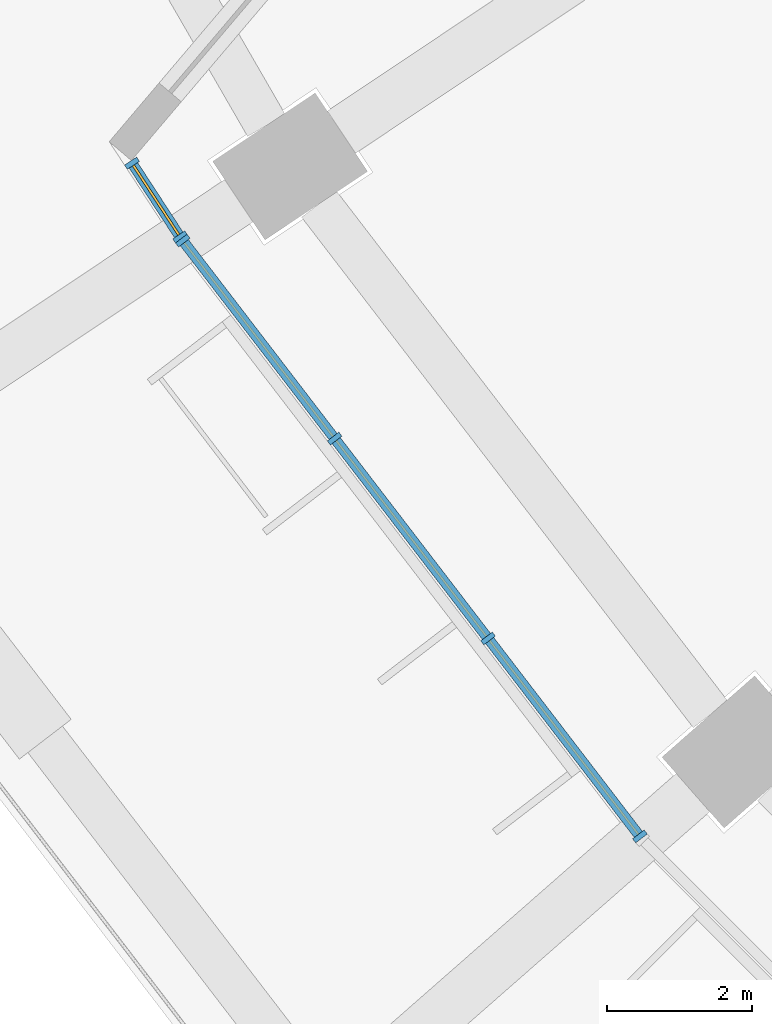
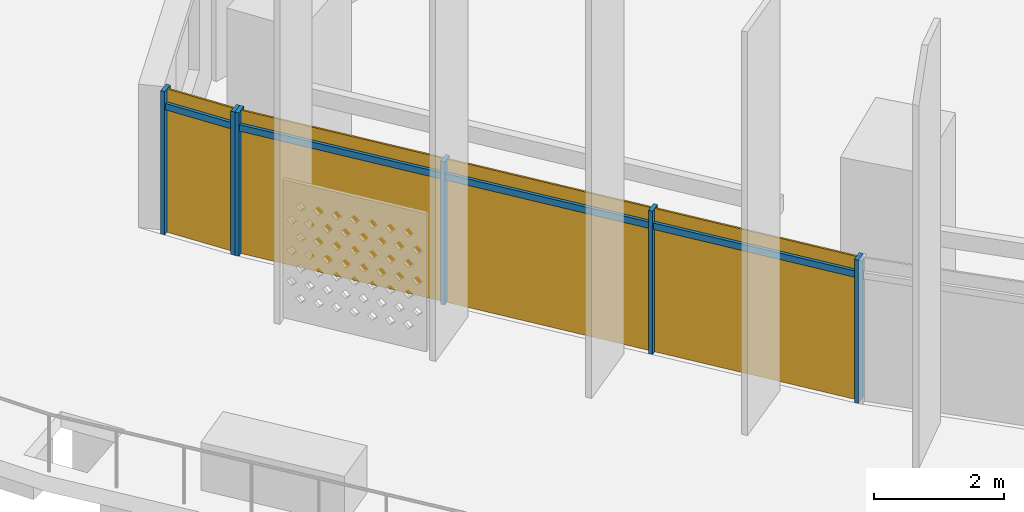
# One storey, part 20 of 35: 10 members, 2 curtain walls.
"""IFC4 building model written with IfcOpenShell, lengths in metres."""

import ifcopenshell
import ifcopenshell.guid

model = None  # the IFC model being written
_history = None  # IfcOwnerHistory: only IFC2X3 demands one
_inside = {}  # id of a spatial element -> (the spatial element, [elements in it])
_under = {}  # id of a project, library or spatial element -> (it, [spatial elements below it])
_declared = {}  # id of a project -> (the project, [libraries it declares])
_typed = {}  # id of a type object -> (the type object, [elements of that type])
_made_of = {}  # id of a material, layer set ... -> (it, [elements and type objects made of it])


def new_model(schema):
    """Start an empty IFC model of exactly this schema.

    Asked for "IFC4X3", IfcOpenShell would pick the latest addendum, in which some entities
    have other attributes; the version numbers below select the first issue.
    IFC2X3 requires an IfcOwnerHistory on every rooted entity: one is made here for all.
    """
    global model, _history
    if schema == "IFC4X3":
        model = ifcopenshell.file(schema_version=(4, 3, 0, 0))
    else:
        model = ifcopenshell.file(schema=schema)
    _inside.clear()
    _under.clear()
    _declared.clear()
    _typed.clear()
    _made_of.clear()
    _history = None
    if model.schema == "IFC2X3":
        org = make("IfcOrganization", Name="unknown")
        user = make(
            "IfcPersonAndOrganization",
            ThePerson=make("IfcPerson", FamilyName="unknown"),
            TheOrganization=org,
        )
        app = make(
            "IfcApplication",
            ApplicationDeveloper=org,
            Version="unknown",
            ApplicationFullName="unknown",
            ApplicationIdentifier="unknown",
        )
        _history = make(
            "IfcOwnerHistory",
            OwningUser=user,
            OwningApplication=app,
            ChangeAction="ADDED",
            CreationDate=0,
        )
    return model


def make(cls, **values):
    """One entity of the class cls with the attributes given. An attribute that is None is left unset."""
    return model.create_entity(
        cls, **{name: value for name, value in values.items() if value is not None}
    )


def rooted(cls, **values):
    """An entity with a GlobalId (a new one), such as an element, a storey or a relation."""
    return make(cls, GlobalId=ifcopenshell.guid.new(), OwnerHistory=_history, **values)


def si_unit(unit_type, name, prefix=None):
    """IfcSIUnit, for example si_unit("LENGTHUNIT", "METRE", prefix="MILLI")."""
    return make("IfcSIUnit", UnitType=unit_type, Prefix=prefix, Name=name)


def assignment(units):
    """IfcUnitAssignment: the units of a project."""
    return None if units is None else make("IfcUnitAssignment", Units=units)


def point(xyz):
    """IfcCartesianPoint."""
    return None if xyz is None else make("IfcCartesianPoint", Coordinates=xyz)


def direction(xyz):
    """IfcDirection."""
    return None if xyz is None else make("IfcDirection", DirectionRatios=xyz)


def frame(location, z_axis=None, x_axis=None):
    """IfcAxis2Placement3D, a coordinate frame: its origin and axes. An axis left out is left unset."""
    return make(
        "IfcAxis2Placement3D",
        Location=point(location),
        Axis=direction(z_axis),
        RefDirection=direction(x_axis),
    )


def frame_2d(location, x_axis=None):
    """IfcAxis2Placement2D, a coordinate frame in the plane: its origin and x axis."""
    return make(
        "IfcAxis2Placement2D", Location=point(location), RefDirection=direction(x_axis)
    )


def origin():
    """The frame at (0, 0, 0) with its axes left unset."""
    return frame((0.0, 0.0, 0.0))


def origin_2d():
    """The frame at (0, 0) in the plane with its x axis left unset."""
    return frame_2d((0.0, 0.0))


def place(relative_to, where):
    """IfcLocalPlacement: puts the frame where relative to a parent placement (None: the world)."""
    return make(
        "IfcLocalPlacement", PlacementRelTo=relative_to, RelativePlacement=where
    )


def context(
    kind, dimensions, precision=None, world=None, true_north=None, identifier=None
):
    """IfcGeometricRepresentationContext, for example the 3D "Model" context."""
    return make(
        "IfcGeometricRepresentationContext",
        ContextIdentifier=identifier,
        ContextType=kind,
        CoordinateSpaceDimension=dimensions,
        Precision=precision,
        WorldCoordinateSystem=world,
        TrueNorth=true_north,
    )


def subcontext(parent, identifier, kind, view, scale=None):
    """IfcGeometricRepresentationSubContext, for example "Body" below "Model"."""
    return make(
        "IfcGeometricRepresentationSubContext",
        ContextIdentifier=identifier,
        ContextType=kind,
        ParentContext=parent,
        TargetScale=scale,
        TargetView=view,
    )


def project(units=None, contexts=None):
    """IfcProject with its units and contexts."""
    return rooted(
        "IfcProject",
        Name="project",
        RepresentationContexts=contexts,
        UnitsInContext=assignment(units),
    )


def spatial(cls, under=None, at=None, **own):
    """A site, building, storey or space (cls), placed at a placement, below another one or the project."""
    s = rooted(cls, ObjectPlacement=at, **own)
    if under is not None:
        _under.setdefault(under.id(), (under, []))[1].append(s)
    return s


def profile(cls, at=None, kind="AREA", **sizes):
    """A parametric profile (cls). Its sizes go by their IFC names, for example OverallWidth=200.0."""
    return make(cls, ProfileType=kind, Position=at, **sizes)


def rectangle(**sizes):
    """IfcRectangleProfileDef."""
    return profile("IfcRectangleProfileDef", **sizes)


def extrude(swept, where, along, depth):
    """IfcExtrudedAreaSolid: the profile swept, set in the frame where, extruded along a direction by depth."""
    return make(
        "IfcExtrudedAreaSolid",
        SweptArea=swept,
        Position=where,
        ExtrudedDirection=direction(along),
        Depth=depth,
    )


def shape(context_of_items, identifier, shape_type, items):
    """IfcShapeRepresentation: the items that make up one representation, for example the "Body"."""
    return make(
        "IfcShapeRepresentation",
        ContextOfItems=context_of_items,
        RepresentationIdentifier=identifier,
        RepresentationType=shape_type,
        Items=items,
    )


def material(Name=None, Category=None):
    """IfcMaterial."""
    return make("IfcMaterial", Name=Name, Category=Category)


def material_profile(
    of_material, cross_section, Name=None, Category=None, Priority=None
):
    """IfcMaterialProfile: a cross section and its material."""
    return make(
        "IfcMaterialProfile",
        Name=Name,
        Material=of_material,
        Profile=cross_section,
        Priority=Priority,
        Category=Category,
    )


def profile_set(profiles, Name=None, composite=None):
    """IfcMaterialProfileSet."""
    return make(
        "IfcMaterialProfileSet",
        Name=Name,
        MaterialProfiles=profiles,
        CompositeProfile=composite,
    )


def made_of(thing, what):
    """Note that an element or type object is made of a material, layer set ...; save() writes the relation."""
    if what is not None:
        _made_of.setdefault(what.id(), (what, []))[1].append(thing)
    return thing


def type_object(cls, material=None, **own):
    """A type object (cls), such as IfcWallType, which elements share."""
    return made_of(rooted(cls, **own), material)


def element(
    cls,
    number,
    at=None,
    inside=None,
    cuts=None,
    type_object=None,
    material=None,
    context=None,
    identifier="Body",
    shape_type=None,
    held_by="IfcProductDefinitionShape",
    body=None,
    shapes=None,
    **own,
):
    """One element of the class cls, such as IfcWall. Its Tag is "e" and its number.

    at: its placement. inside: the storey or other place that contains it. cuts: it is an
    opening in that element (IfcRelVoidsElement). A single representation is given by context,
    identifier, shape_type and body (its items); several are given by shapes. held_by: the class
    of the entity that holds the representations. save() writes the other relations.
    """
    e = rooted(cls, Tag="e%d" % number, ObjectPlacement=at, **own)
    if body is not None:
        shapes = [shape(context, identifier, shape_type, body)]
    if shapes is not None:
        e.Representation = make(held_by, Representations=shapes)
    if inside is not None:
        _inside.setdefault(inside.id(), (inside, []))[1].append(e)
    if cuts is not None:
        rooted(
            "IfcRelVoidsElement", RelatingBuildingElement=cuts, RelatedOpeningElement=e
        )
    if type_object is not None:
        _typed.setdefault(type_object.id(), (type_object, []))[1].append(e)
    return made_of(e, material)


def aggregate(whole, parts):
    """IfcRelAggregates: a whole, such as a stair, and the parts it consists of."""
    return rooted("IfcRelAggregates", RelatingObject=whole, RelatedObjects=parts)


def save(model, path):
    """Write the relations noted so far, then the file.

    IfcRelAggregates (storeys below a building ...), IfcRelContainedInSpatialStructure (elements
    in a storey), IfcRelDefinesByType, IfcRelAssociatesMaterial and IfcRelDeclares: one each for
    every whole, place, type object, material and project.
    """
    for whole, parts in _under.values():
        aggregate(whole, parts)
    for where, things in _inside.values():
        rooted(
            "IfcRelContainedInSpatialStructure",
            RelatedElements=things,
            RelatingStructure=where,
        )
    for kind, things in _typed.values():
        rooted("IfcRelDefinesByType", RelatedObjects=things, RelatingType=kind)
    for what, things in _made_of.values():
        rooted("IfcRelAssociatesMaterial", RelatedObjects=things, RelatingMaterial=what)
    for by, libraries in _declared.values():
        rooted("IfcRelDeclares", RelatingContext=by, RelatedDefinitions=libraries)
    model.write(path)


model = new_model("IFC4")

# Units and contexts
model_context = context("Model", 3, precision=1e-05, world=origin(), true_north=direction((0.0, 1.0)))
body_context = subcontext(model_context, "Body", "Model", "MODEL_VIEW")
ifc_project = project(units=[si_unit("LENGTHUNIT", "METRE"), si_unit("AREAUNIT", "SQUARE_METRE"), si_unit("VOLUMEUNIT", "CUBIC_METRE"), si_unit("PLANEANGLEUNIT", "RADIAN"), si_unit("MASSUNIT", "GRAM", prefix="KILO")], contexts=[model_context])

# Member
ifc_material = material(Name="Aluminium 6063-T6 anodised", Category="aluminium")
ifc_material_profile_1 = material_profile(ifc_material, rectangle(XDim=0.199951171875, YDim=0.070068359375, at=origin_2d()))
ifc_profile_set_1 = profile_set([ifc_material_profile_1], Name="Aluminium 6063-T6 anodised")
member_type_1 = type_object("IfcMemberType", Name="Mullion 70 x 200 aluminium", PredefinedType="MULLION", material=ifc_profile_set_1)
site_placement = place(None, origin())
building_placement = place(site_placement, origin())
storey_placement = place(building_placement, frame((0.0, 0.0, 40.5)))
member_1_placement = place(storey_placement, frame((-66.825439453125, -43.1513671875, 0.0), z_axis=(0.0, 0.0, 1.0), x_axis=(0.837241833838, 0.546832800472, 0.0)))
member_1 = element("IfcMember", 1, at=member_1_placement, type_object=member_type_1, Name="e-cw1-L06-out00/M00", PredefinedType="MULLION", context=body_context, shape_type="SweptSolid", body=[
    extrude(rectangle(XDim=0.199951171875, YDim=0.070068359375, at=origin_2d()), origin(), (0.0, 0.0, 1.0), 2.699951171875),
])

member_2_placement = place(storey_placement, frame((-66.161865234375, -44.167236328125, 0.0), z_axis=(0.0, 0.0, 1.0), x_axis=(0.837241833838, 0.546832800472, 0.0)))
member_2 = element("IfcMember", 2, at=member_2_placement, type_object=member_type_1, Name="e-cw1-L06-out00/M01", PredefinedType="MULLION", context=body_context, shape_type="SweptSolid", body=[
    extrude(rectangle(XDim=0.199951171875, YDim=0.070068359375, at=origin_2d()), origin(), (0.0, 0.0, 1.0), 2.699951171875),
])

member_3_placement = place(storey_placement, frame((-66.1259765625, -44.218017578125, 0.0), z_axis=(0.0, 0.0, 1.0), x_axis=(0.793353340291, 0.608761429009, 0.0)))
member_3 = element("IfcMember", 3, at=member_3_placement, type_object=member_type_1, Name="e-cw1-L06-out01/M00", PredefinedType="MULLION", context=body_context, shape_type="SweptSolid", body=[
    extrude(rectangle(XDim=0.199951171875, YDim=0.070068359375, at=origin_2d()), origin(), (0.0, 0.0, 1.0), 2.699951171875),
])

member_4_placement = place(storey_placement, frame((-64.032958984375, -46.945556640625, 0.0), z_axis=(0.0, 0.0, 1.0), x_axis=(0.793353340291, 0.608761429009, 0.0)))
member_4 = element("IfcMember", 4, at=member_4_placement, type_object=member_type_1, Name="e-cw1-L06-out01/M01", PredefinedType="MULLION", context=body_context, shape_type="SweptSolid", body=[
    extrude(rectangle(XDim=0.199951171875, YDim=0.070068359375, at=origin_2d()), origin(), (0.0, 0.0, 1.0), 2.699951171875),
])

member_5_placement = place(storey_placement, frame((-61.9189453125, -49.70068359375, 0.0), z_axis=(0.0, 0.0, 1.0), x_axis=(0.793353340291, 0.608761429009, 0.0)))
member_5 = element("IfcMember", 5, at=member_5_placement, type_object=member_type_1, Name="e-cw1-L06-out01/M02", PredefinedType="MULLION", context=body_context, shape_type="SweptSolid", body=[
    extrude(rectangle(XDim=0.199951171875, YDim=0.070068359375, at=origin_2d()), origin(), (0.0, 0.0, 1.0), 2.699951171875),
])

member_6_placement = place(storey_placement, frame((-59.825927734375, -52.42822265625, 0.0), z_axis=(0.0, 0.0, 1.0), x_axis=(0.793353340291, 0.608761429009, 0.0)))
member_6 = element("IfcMember", 6, at=member_6_placement, type_object=member_type_1, Name="e-cw1-L06-out01/M03", PredefinedType="MULLION", context=body_context, shape_type="SweptSolid", body=[
    extrude(rectangle(XDim=0.199951171875, YDim=0.070068359375, at=origin_2d()), origin(), (0.0, 0.0, 1.0), 2.699951171875),
])

ifc_material_profile_2 = material_profile(ifc_material, rectangle(XDim=0.139892578125, YDim=0.1201171875, at=origin_2d()))
ifc_profile_set_2 = profile_set([ifc_material_profile_2], Name="Aluminium 6063-T6 anodised")
member_type_2 = type_object("IfcMemberType", Name="Transom 120 x 140 aluminium", PredefinedType="USERDEFINED", material=ifc_profile_set_2)
member_7_placement = place(storey_placement, frame((-66.80615234375, -43.1806640625, 2.39990234375), z_axis=(0.546691131279, -0.837334345994, 0.0), x_axis=(0.837334345994, 0.546691131279, 0.0)))
member_7 = element("IfcMember", 7, at=member_7_placement, type_object=member_type_2, Name="e-cw1-L06-out00/T00", ObjectType="TRANSOM", PredefinedType="USERDEFINED", context=body_context, shape_type="SweptSolid", body=[
    extrude(rectangle(XDim=0.139892578125, YDim=0.1201171875, at=origin_2d()), origin(), (0.0, 0.0, 1.0), 1.143310546875),
])

member_8_placement = place(storey_placement, frame((-66.1044921875, -44.245849609375, 2.39990234375), z_axis=(0.608732839803, -0.793375276742, 0.0), x_axis=(0.793375276742, 0.608732839803, 0.0)))
member_8 = element("IfcMember", 8, at=member_8_placement, type_object=member_type_2, Name="e-cw1-L06-out01/T00", ObjectType="TRANSOM", PredefinedType="USERDEFINED", context=body_context, shape_type="SweptSolid", body=[
    extrude(rectangle(XDim=0.139892578125, YDim=0.1201171875, at=origin_2d()), origin(), (0.0, 0.0, 1.0), 3.36767578125),
])

member_9_placement = place(storey_placement, frame((-64.01171875, -46.973388671875, 2.39990234375), z_axis=(0.60875683052, -0.793356868815, 0.0), x_axis=(0.793356868815, 0.60875683052, 0.0)))
member_9 = element("IfcMember", 9, at=member_9_placement, type_object=member_type_2, Name="e-cw1-L06-out01/T01", ObjectType="TRANSOM", PredefinedType="USERDEFINED", context=body_context, shape_type="SweptSolid", body=[
    extrude(rectangle(XDim=0.139892578125, YDim=0.1201171875, at=origin_2d()), origin(), (0.0, 0.0, 1.0), 3.40283203125),
])

member_10_placement = place(storey_placement, frame((-61.8974609375, -49.728515625, 2.39990234375), z_axis=(0.608732839803, -0.793375276742, 0.0), x_axis=(0.793375276742, 0.608732839803, 0.0)))
member_10 = element("IfcMember", 10, at=member_10_placement, type_object=member_type_2, Name="e-cw1-L06-out01/T02", ObjectType="TRANSOM", PredefinedType="USERDEFINED", context=body_context, shape_type="SweptSolid", body=[
    extrude(rectangle(XDim=0.139892578125, YDim=0.1201171875, at=origin_2d()), origin(), (0.0, 0.0, 1.0), 3.36767578125),
])

# Site, building, storey
site = spatial("IfcSite", under=ifc_project, at=site_placement, CompositionType="ELEMENT")
building = spatial("IfcBuilding", under=site, at=building_placement, Name="Qamariyya Broadcast Tower", CompositionType="ELEMENT")
storey = spatial("IfcBuildingStorey", under=building, at=storey_placement, Name="L06", CompositionType="ELEMENT", Elevation=40.5)

# Curtain wall
curtain_wall_type = type_object("IfcCurtainWallType", Name="Unitised curtain wall, anodised aluminium", PredefinedType="NOTDEFINED", material=ifc_material)
curtain_wall_1_placement = place(storey_placement, origin())
curtain_wall_1 = element("IfcCurtainWall", 11, at=curtain_wall_1_placement, inside=storey, type_object=curtain_wall_type, Name="e-cw1-L06-out00", PredefinedType="NOTDEFINED", context=body_context, shape_type="SweptSolid", body=[
    extrude(rectangle(XDim=1.143310546875, YDim=0.031982421875, at=origin_2d()), frame((-66.49365234375, -43.6591796875, 0.0), x_axis=(0.546772570063, -0.837281169397, 0.0)), (0.0, 0.0, 1.0), 2.340087890625),
    extrude(rectangle(XDim=1.143310546875, YDim=0.031982421875, at=origin_2d()), frame((-66.49365234375, -43.6591796875, 2.4599609375), x_axis=(0.546772570063, -0.837281169397, 0.0)), (0.0, 0.0, 1.0), 0.239990234375),
])

aggregate(curtain_wall_1, [member_1, member_2, member_7])

curtain_wall_2_placement = place(storey_placement, origin())
curtain_wall_2 = element("IfcCurtainWall", 12, at=curtain_wall_2_placement, inside=storey, type_object=curtain_wall_type, Name="e-cw1-L06-out01", PredefinedType="NOTDEFINED", context=body_context, shape_type="SweptSolid", body=[
    extrude(rectangle(XDim=3.367919921875, YDim=0.031982421875, at=origin_2d()), frame((-65.07958984375, -45.581787109375, 0.0), x_axis=(0.608755679475, -0.79335775203, 0.0)), (0.0, 0.0, 1.0), 2.340087890625),
    extrude(rectangle(XDim=3.367919921875, YDim=0.031982421875, at=origin_2d()), frame((-65.07958984375, -45.581787109375, 2.4599609375), x_axis=(0.608755679475, -0.79335775203, 0.0)), (0.0, 0.0, 1.0), 0.239990234375),
    extrude(rectangle(XDim=3.40283203125, YDim=0.031982421875, at=origin_2d()), frame((-62.97607421875, -48.3232421875, 0.0), x_axis=(0.608755679475, -0.79335775203, 0.0)), (0.0, 0.0, 1.0), 2.340087890625),
    extrude(rectangle(XDim=3.40283203125, YDim=0.031982421875, at=origin_2d()), frame((-62.97607421875, -48.3232421875, 2.4599609375), x_axis=(0.608755679475, -0.79335775203, 0.0)), (0.0, 0.0, 1.0), 0.239990234375),
    extrude(rectangle(XDim=3.367919921875, YDim=0.031982421875, at=origin_2d()), frame((-60.872314453125, -51.064453125, 0.0), x_axis=(0.608755679475, -0.79335775203, 0.0)), (0.0, 0.0, 1.0), 2.340087890625),
    extrude(rectangle(XDim=3.367919921875, YDim=0.031982421875, at=origin_2d()), frame((-60.872314453125, -51.064453125, 2.4599609375), x_axis=(0.608755679475, -0.79335775203, 0.0)), (0.0, 0.0, 1.0), 0.239990234375),
])

aggregate(curtain_wall_2, [member_3, member_4, member_5, member_6, member_8, member_9, member_10])

save(model, "model.ifc")
